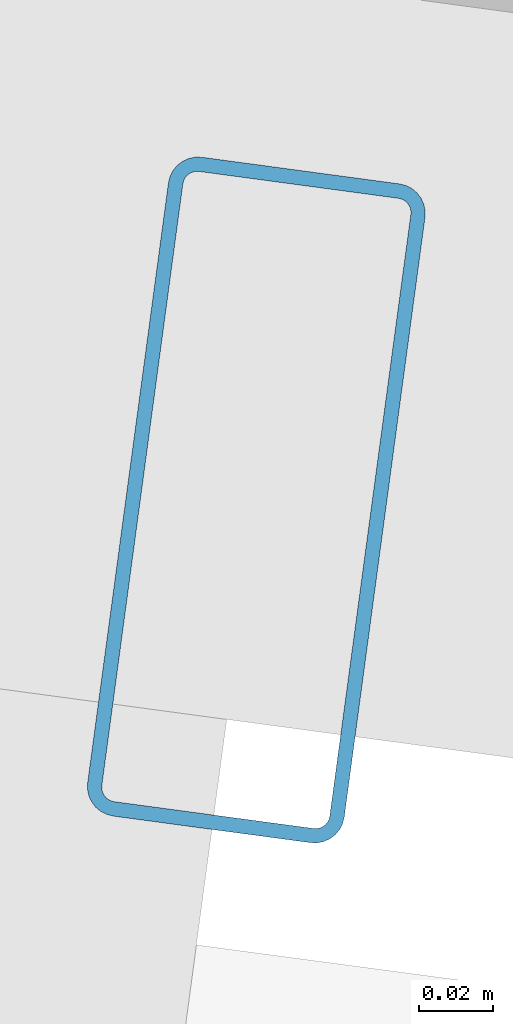
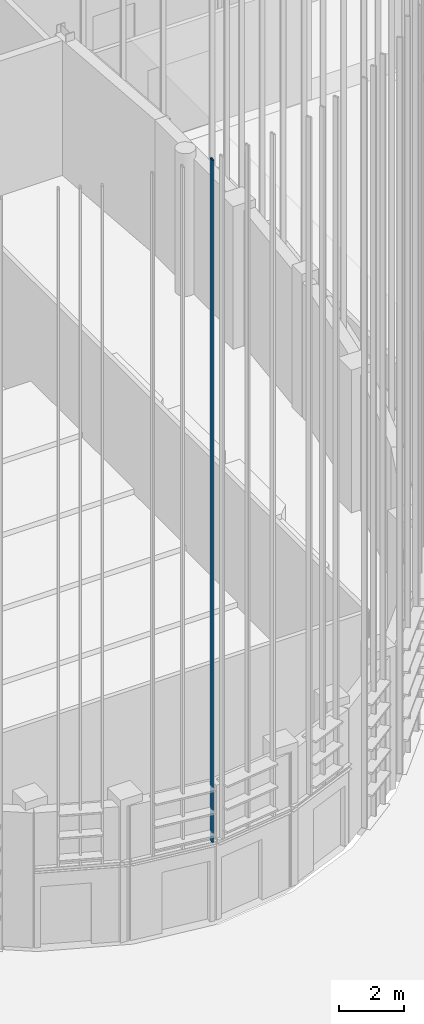
# One storey, part 36 of 372: 1 member.
"""IFC4 building model written with IfcOpenShell, lengths in metres."""

from ifc_helpers import new_model, si_unit, direction, frame, origin, origin_2d, place, context, subcontext, project, spatial, hollow_rectangle, extrude, material, material_profile, profile_set, type_object, element, save


model = new_model("IFC4")

# Units and contexts
model_context = context("Model", 3, precision=1e-05, world=origin(), true_north=direction((0.0, 1.0)))
body_context = subcontext(model_context, "Body", "Model", "MODEL_VIEW")
ifc_project = project(units=[si_unit("LENGTHUNIT", "METRE"), si_unit("AREAUNIT", "SQUARE_METRE"), si_unit("VOLUMEUNIT", "CUBIC_METRE"), si_unit("PLANEANGLEUNIT", "RADIAN"), si_unit("MASSUNIT", "GRAM", prefix="KILO")], contexts=[model_context])

# Site, building, storey
site_placement = place(None, origin())
site = spatial("IfcSite", under=ifc_project, at=site_placement, CompositionType="ELEMENT")
building_placement = place(site_placement, origin())
building = spatial("IfcBuilding", under=site, at=building_placement, Name="Kaelora Sail Theatre", CompositionType="ELEMENT")
storey_placement = place(building_placement, origin())
storey = spatial("IfcBuildingStorey", under=building, at=storey_placement, Name="L00", CompositionType="ELEMENT", Elevation=0.0)

# Member
ifc_material = material(Name="Anodised aluminium 6063-T6", Category="aluminium")
ifc_material_profile = material_profile(ifc_material, hollow_rectangle(XDim=0.070068359375, YDim=0.179931640625, WallThickness=0.00390625, InnerFilletRadius=0.00390625, OuterFilletRadius=0.008056640625, at=origin_2d()), Name="ALU-MULL 70x180x4")
ifc_profile_set = profile_set([ifc_material_profile], Name="Anodised aluminium 6063-T6")
member_type = type_object("IfcMemberType", Name="ARC-MEM-PST-160", PredefinedType="POST", material=ifc_profile_set)
member_placement = place(storey_placement, frame((41.822021484375, 23.561279296875, 3.10009765625), z_axis=(0.0, 0.0, 1.0), x_axis=(-0.991053218872, 0.133467289485, 0.0)))
element("IfcMember", 1, at=member_placement, inside=storey, type_object=member_type, Name="Main Theatre Sail Drum solar louvre vertical support post C12-1", PredefinedType="POST", context=body_context, shape_type="SweptSolid", body=[
    extrude(hollow_rectangle(XDim=0.070068359375, YDim=0.179931640625, WallThickness=0.00390625, InnerFilletRadius=0.00390625, OuterFilletRadius=0.008056640625, at=origin_2d()), origin(), (0.0, 0.0, 1.0), 25.814453125),
])

save(model, "model.ifc")
